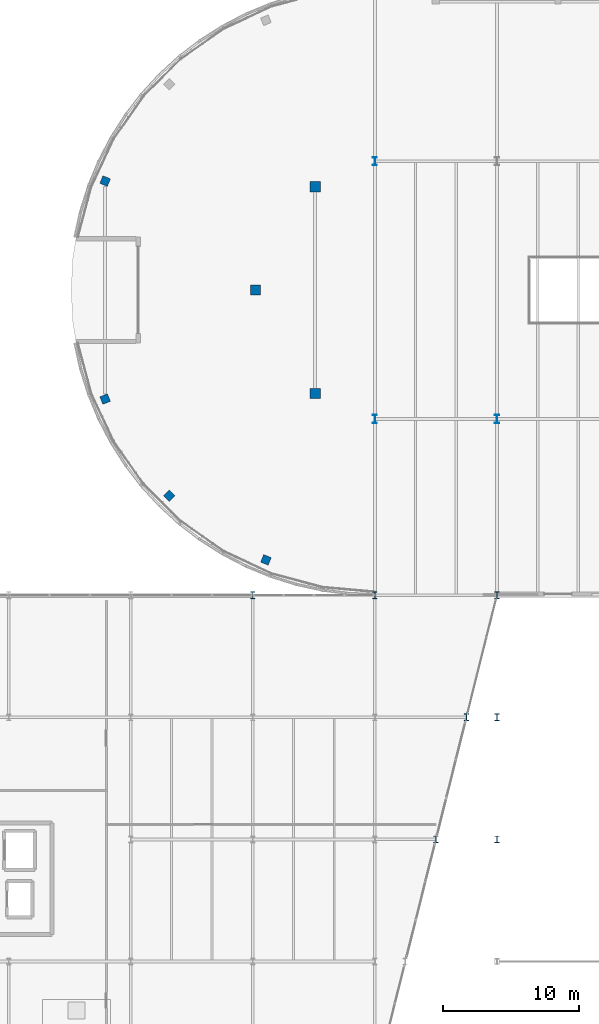
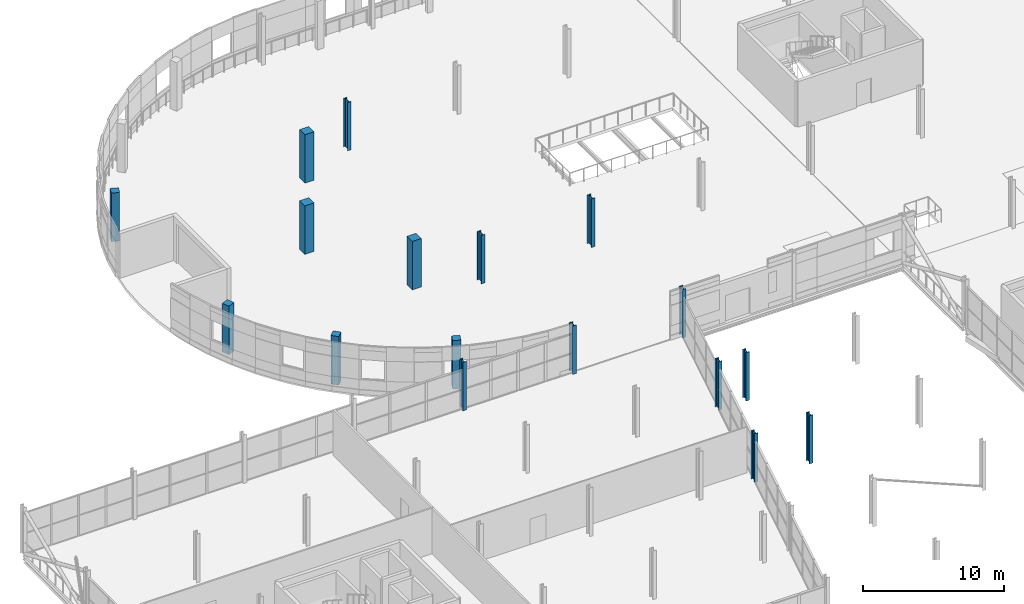
# One storey, part 10 of 140: 17 columns.
"""IFC4 building model written with IfcOpenShell, lengths in metres."""

from ifc_helpers import new_model, si_unit, direction, frame, origin, origin_2d, place, context, subcontext, project, spatial, rectangle, i_section, extrude, material, material_profile, profile_set, type_object, element, save


model = new_model("IFC4")

# Units and contexts
model_context = context("Model", 3, precision=1e-05, world=origin(), true_north=direction((0.0, 1.0)))
body_context = subcontext(model_context, "Body", "Model", "MODEL_VIEW")
ifc_project = project(units=[si_unit("LENGTHUNIT", "METRE"), si_unit("AREAUNIT", "SQUARE_METRE"), si_unit("VOLUMEUNIT", "CUBIC_METRE"), si_unit("PLANEANGLEUNIT", "RADIAN"), si_unit("MASSUNIT", "GRAM", prefix="KILO")], contexts=[model_context])

# Site, building, storey
site_placement = place(None, origin())
site = spatial("IfcSite", under=ifc_project, at=site_placement, CompositionType="ELEMENT")
building_placement = place(site_placement, origin())
building = spatial("IfcBuilding", under=site, at=building_placement, Name="Deido Ridge Mobility Hub", CompositionType="ELEMENT")
storey_placement = place(building_placement, origin())
storey = spatial("IfcBuildingStorey", under=building, at=storey_placement, Name="L00", CompositionType="ELEMENT", Elevation=0.0)

# Columns
ifc_material_1 = material(Name="Steel S355J2 EN 10025-2", Category="steel")
ifc_material_profile_1 = material_profile(ifc_material_1, i_section(OverallWidth=0.300048828125, OverallDepth=0.5, WebThickness=0.014404296875, FlangeThickness=0.028076171875, FilletRadius=0.027099609375, at=origin_2d()), Name="HEB 500")
ifc_profile_set_1 = profile_set([ifc_material_profile_1], Name="Steel S355J2 EN 10025-2")
column_type_1 = type_object("IfcColumnType", Name="COL-HEB500", PredefinedType="COLUMN", material=ifc_profile_set_1)
for number, where, z_axis, x_axis, name in (
    (1, (49.5, 63.0, 0.0), (0.0, 0.0, 1.0), (1.0, 0.0, 0.0), "Structural column C5"),
    (2, (51.75, 72.0, 0.0), (0.0, 0.0, 1.0), (1.0, 0.0, 0.0), "Structural column C5"),
    (3, (36.0, 81.0, 0.0), (0.0, 0.0, 1.0), (1.0, 0.0, 0.0), "Structural column C5"),
    (4, (45.0, 81.0, 0.0), (0.0, 0.0, 1.0), (1.0, 0.0, 0.0), "Structural column C5"),
    (5, (54.0, 81.0, 0.0), (0.0, 0.0, 1.0), (1.0, 0.0, 0.0), "Structural column C5"),
    (6, (54.0, 63.0, 0.0), (0.0, 0.0, 1.0), (1.0, 0.0, 0.0), "Structural column C5"),
    (7, (54.0, 72.0, 0.0), (0.0, 0.0, 1.0), (1.0, 0.0, 0.0), "Structural column C5"),
):
    element("IfcColumn", number, at=place(storey_placement, frame(where, z_axis=z_axis, x_axis=x_axis)), inside=storey, type_object=column_type_1, Name=name, PredefinedType="COLUMN", context=body_context, shape_type="SweptSolid", body=[
        extrude(i_section(OverallWidth=0.300048828125, OverallDepth=0.5, WebThickness=0.014404296875, FlangeThickness=0.028076171875, FilletRadius=0.027099609375, at=origin_2d()), origin(), (0.0, 0.0, 1.0), 4.199951171875),
    ])
ifc_material_profile_2 = material_profile(ifc_material_1, i_section(OverallWidth=0.300048828125, OverallDepth=0.60009765625, WebThickness=0.015380859375, FlangeThickness=0.030029296875, FilletRadius=0.027099609375, at=origin_2d()), Name="HEB 600")
ifc_profile_set_2 = profile_set([ifc_material_profile_2], Name="Steel S355J2 EN 10025-2")
column_type_2 = type_object("IfcColumnType", Name="COL-HEB600", PredefinedType="COLUMN", material=ifc_profile_set_2)
for number, where, z_axis, x_axis, name in (
    (8, (45.0, 94.0, 0.0), (0.0, 0.0, 1.0), (1.0, 0.0, 0.0), "Structural column C4"),
    (9, (45.0, 113.0, 0.0), (0.0, 0.0, 1.0), (1.0, 0.0, 0.0), "Structural column C4"),
    (10, (54.0, 94.0, 0.0), (0.0, 0.0, 1.0), (1.0, 0.0, 0.0), "Structural column C4"),
):
    element("IfcColumn", number, at=place(storey_placement, frame(where, z_axis=z_axis, x_axis=x_axis)), inside=storey, type_object=column_type_2, Name=name, PredefinedType="COLUMN", context=body_context, shape_type="SweptSolid", body=[
        extrude(i_section(OverallWidth=0.300048828125, OverallDepth=0.60009765625, WebThickness=0.015380859375, FlangeThickness=0.030029296875, FilletRadius=0.027099609375, at=origin_2d()), origin(), (0.0, 0.0, 1.0), 4.199951171875),
    ])
ifc_material_2 = material(Name="Concrete C40/50", Category="concrete")
ifc_material_profile_3 = material_profile(ifc_material_2, rectangle(XDim=0.60009765625, YDim=0.60009765625, at=origin_2d()), Name="RC COL 600x600")
ifc_profile_set_3 = profile_set([ifc_material_profile_3], Name="Concrete C40/50")
column_type_3 = type_object("IfcColumnType", Name="COL-RC600", PredefinedType="COLUMN", material=ifc_profile_set_3)
for number, where, z_axis, x_axis, name in (
    (11, (25.11181640625, 111.535400390625, 0.0), (0.0, 0.0, 1.0), (-0.927183854567, 0.374606593416, 0.0), "Structural column RC2"),
    (12, (25.11181640625, 95.464599609375, 0.0), (0.0, 0.0, 1.0), (-0.927183854567, -0.374606593416, 0.0), "Structural column RC2"),
    (13, (29.83251953125, 88.33251953125, 0.0), (0.0, 0.0, 1.0), (-0.707106781187, -0.707106781187, 0.0), "Structural column RC2"),
    (14, (36.964599609375, 83.61181640625, 0.0), (0.0, 0.0, 1.0), (-0.374606593416, -0.927183854567, 0.0), "Structural column RC2"),
):
    element("IfcColumn", number, at=place(storey_placement, frame(where, z_axis=z_axis, x_axis=x_axis)), inside=storey, type_object=column_type_3, Name=name, PredefinedType="COLUMN", context=body_context, shape_type="SweptSolid", body=[
        extrude(rectangle(XDim=0.60009765625, YDim=0.60009765625, at=origin_2d()), origin(), (0.0, 0.0, 1.0), 4.199951171875),
    ])
ifc_material_profile_4 = material_profile(ifc_material_2, rectangle(XDim=0.75, YDim=0.75, at=origin_2d()), Name="RC COL 750x750")
ifc_profile_set_4 = profile_set([ifc_material_profile_4], Name="Concrete C40/50")
column_type_4 = type_object("IfcColumnType", Name="COL-RC750", PredefinedType="COLUMN", material=ifc_profile_set_4)
for number, where, z_axis, x_axis, name in (
    (15, (40.60009765625, 111.12109375, 0.0), (0.0, 0.0, 1.0), (1.0, 0.0, 0.0), "Structural column RC1"),
    (16, (36.199951171875, 103.5, 0.0), (0.0, 0.0, 1.0), (1.0, 0.0, 0.0), "Structural column RC1"),
    (17, (40.60009765625, 95.87890625, 0.0), (0.0, 0.0, 1.0), (1.0, 0.0, 0.0), "Structural column RC1"),
):
    element("IfcColumn", number, at=place(storey_placement, frame(where, z_axis=z_axis, x_axis=x_axis)), inside=storey, type_object=column_type_4, Name=name, PredefinedType="COLUMN", context=body_context, shape_type="SweptSolid", body=[
        extrude(rectangle(XDim=0.75, YDim=0.75, at=origin_2d()), origin(), (0.0, 0.0, 1.0), 4.199951171875),
    ])

save(model, "model.ifc")
